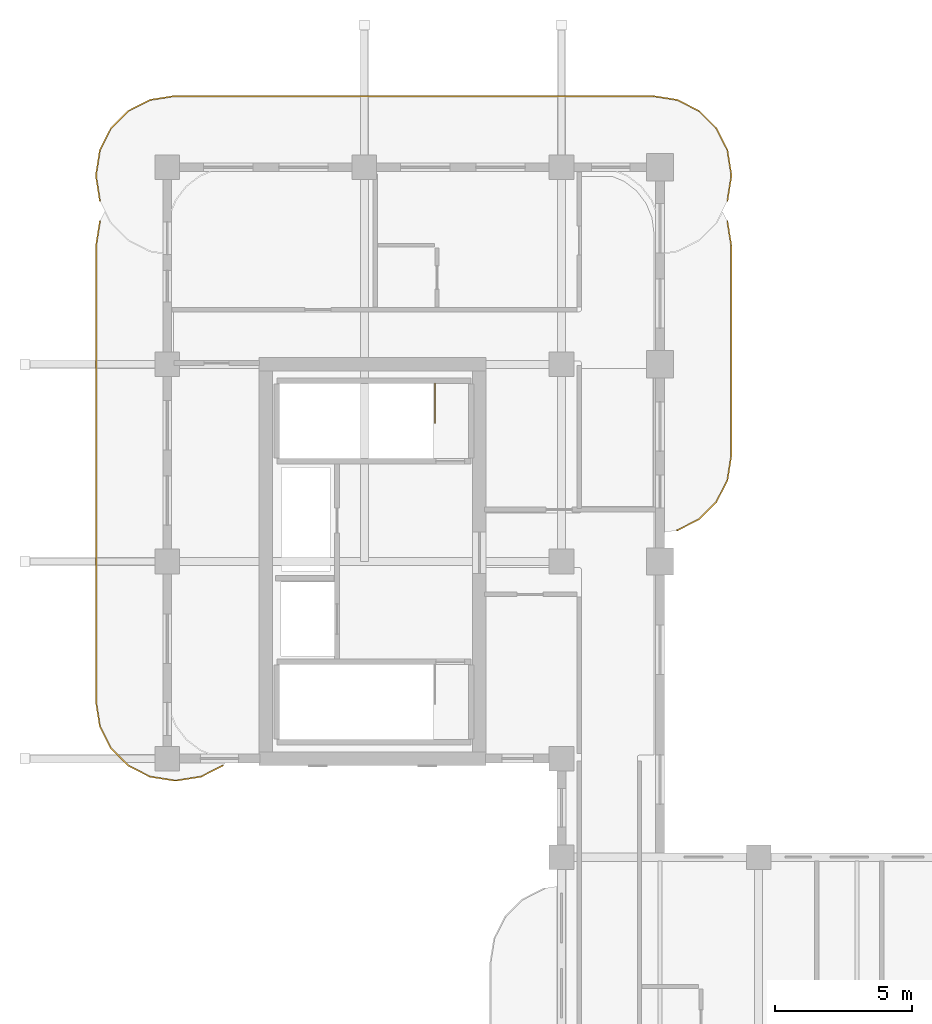
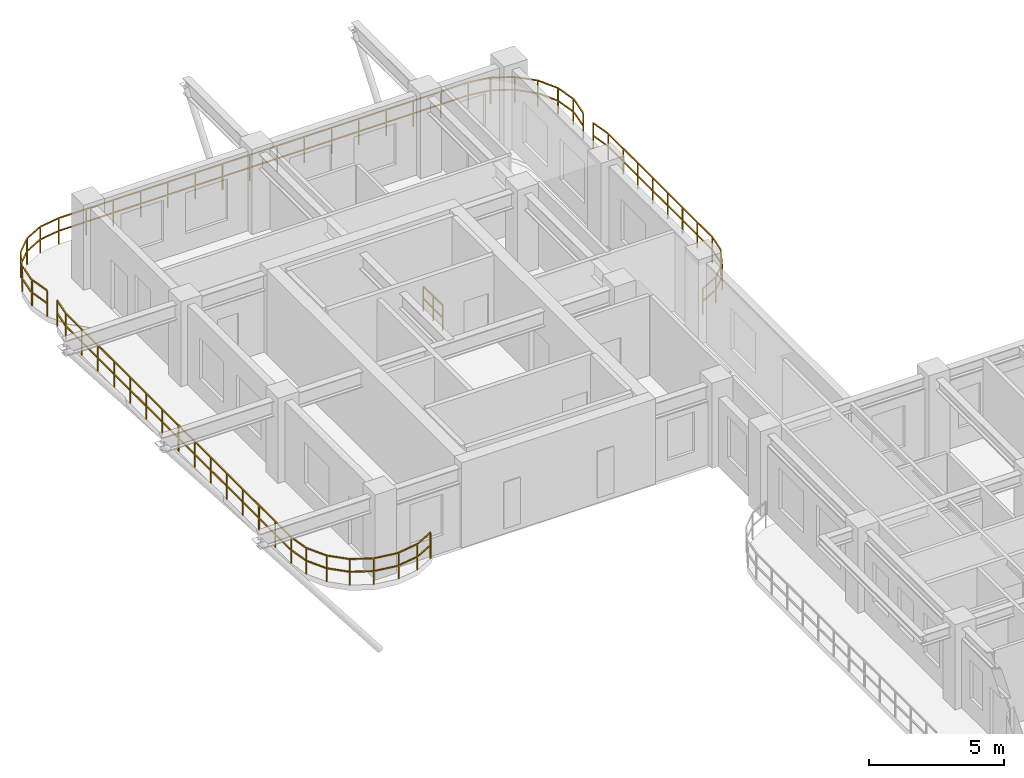
# One storey, part 14 of 14: 4 railings.
"""IFC4 building model written with IfcOpenShell, lengths in metres."""

from ifc_helpers import new_model, si_unit, derived_unit, direction, frame, origin, origin_2d, place, context, subcontext, project, spatial, rectangle, extrude, material, type_object, element, save


model = new_model("IFC4")

# Units and contexts
model_context = context("Model", 3, precision=1e-05, world=origin(), true_north=direction((0.0, 1.0)))
body_context = subcontext(model_context, "Body", "Model", "MODEL_VIEW")
ifc_project = project(units=[si_unit("LENGTHUNIT", "METRE"), si_unit("AREAUNIT", "SQUARE_METRE"), si_unit("VOLUMEUNIT", "CUBIC_METRE"), si_unit("PLANEANGLEUNIT", "RADIAN"), si_unit("MASSUNIT", "GRAM", prefix="KILO"), si_unit("THERMODYNAMICTEMPERATUREUNIT", "KELVIN"), si_unit("POWERUNIT", "WATT"), derived_unit("THERMALTRANSMITTANCEUNIT", [(si_unit("POWERUNIT", "WATT"), 1), (si_unit("AREAUNIT", "SQUARE_METRE"), -1), (si_unit("THERMODYNAMICTEMPERATUREUNIT", "KELVIN"), -1)])], contexts=[model_context])

# Site, building, storey
site_placement = place(None, origin())
site = spatial("IfcSite", under=ifc_project, at=site_placement, CompositionType="ELEMENT")
building_placement = place(site_placement, origin())
building = spatial("IfcBuilding", under=site, at=building_placement, Name="Zahravan Archway Hotel and Residences", CompositionType="ELEMENT")
storey_placement = place(building_placement, frame((0.0, 0.0, 209.60009765625)))
storey = spatial("IfcBuildingStorey", under=building, at=storey_placement, Name="L52", CompositionType="ELEMENT", Elevation=209.60009765625)

# Railings
ifc_material_1 = material(Name="Bronze & Laminated Glass Balustrade", Category="glass")
railing_type_1 = type_object("IfcRailingType", Name="RL-BAL-1200", PredefinedType="BALUSTRADE", material=ifc_material_1)
railing_1_placement = place(storey_placement, frame((-2.46044921875, 45.5693359375, 0.0)))
element("IfcRailing", 1, at=railing_1_placement, inside=storey, type_object=railing_type_1, Name="L52 Balustrade RL-SLB-BAL-L52-NB-1", PredefinedType="BALUSTRADE", context=body_context, shape_type="SweptSolid", body=[
    extrude(rectangle(XDim=0.048095703125, YDim=0.048095703125, at=origin_2d()), frame((0.0, 0.0, 1.17578125), z_axis=(-0.156623399917, 0.987658397726, 0.0), x_axis=(-0.987658397726, -0.156623399917, 0.0)), (0.0, 0.0, 1.0), 0.8916015625),
    extrude(rectangle(XDim=0.048095703125, YDim=0.048095703125, at=origin_2d()), frame((0.0, 0.0, 0.60009765625), z_axis=(-0.156623399917, 0.987658397726, 0.0), x_axis=(-0.987658397726, -0.156623399917, 0.0)), (0.0, 0.0, 1.0), 0.8916015625),
    extrude(rectangle(XDim=0.048095703125, YDim=0.048095703125, at=origin_2d()), frame((-0.1396484375, 0.880615234375, 1.17578125), z_axis=(0.0, 1.0, 0.0), x_axis=(-1.0, 0.0, 0.0)), (0.0, 0.0, 1.0), 0.10009765625),
    extrude(rectangle(XDim=0.048095703125, YDim=0.048095703125, at=origin_2d()), frame((-0.1396484375, 0.880615234375, 0.60009765625), z_axis=(0.0, 1.0, 0.0), x_axis=(-1.0, 0.0, 0.0)), (0.0, 0.0, 1.0), 0.10009765625),
    extrude(rectangle(XDim=0.048095703125, YDim=0.048095703125, at=origin_2d()), frame((-0.1396484375, 0.980712890625, 1.17578125), z_axis=(0.156623399917, 0.987658397726, 0.0), x_axis=(-0.987658397726, 0.156623399917, 0.0)), (0.0, 0.0, 1.0), 0.8916015625),
    extrude(rectangle(XDim=0.048095703125, YDim=0.048095703125, at=origin_2d()), frame((-0.1396484375, 0.980712890625, 0.60009765625), z_axis=(0.156623399917, 0.987658397726, 0.0), x_axis=(-0.987658397726, 0.156623399917, 0.0)), (0.0, 0.0, 1.0), 0.8916015625),
    extrude(rectangle(XDim=0.048095703125, YDim=0.048095703125, at=origin_2d()), frame((0.0, 1.861328125, 1.17578125), z_axis=(0.453991409995, 0.891006060389, 0.0), x_axis=(-0.891006060389, 0.453991409995, 0.0)), (0.0, 0.0, 1.0), 0.8916015625),
    extrude(rectangle(XDim=0.048095703125, YDim=0.048095703125, at=origin_2d()), frame((0.0, 1.861328125, 0.60009765625), z_axis=(0.453991409995, 0.891006060389, 0.0), x_axis=(-0.891006060389, 0.453991409995, 0.0)), (0.0, 0.0, 1.0), 0.8916015625),
    extrude(rectangle(XDim=0.048095703125, YDim=0.048095703125, at=origin_2d()), frame((0.40478515625, 2.65576171875, 1.17578125), z_axis=(0.706969864397, 0.70724367147, 0.0), x_axis=(-0.70724367147, 0.706969864397, 0.0)), (0.0, 0.0, 1.0), 0.8916015625),
    extrude(rectangle(XDim=0.048095703125, YDim=0.048095703125, at=origin_2d()), frame((0.40478515625, 2.65576171875, 0.60009765625), z_axis=(0.706969864397, 0.70724367147, 0.0), x_axis=(-0.70724367147, 0.706969864397, 0.0)), (0.0, 0.0, 1.0), 0.8916015625),
    extrude(rectangle(XDim=0.048095703125, YDim=0.048095703125, at=origin_2d()), frame((1.03515625, 3.286376953125, 1.17578125), z_axis=(0.891062476022, 0.45388067135, 0.0), x_axis=(-0.45388067135, 0.891062476022, 0.0)), (0.0, 0.0, 1.0), 0.891845703125),
    extrude(rectangle(XDim=0.048095703125, YDim=0.048095703125, at=origin_2d()), frame((1.03515625, 3.286376953125, 0.60009765625), z_axis=(0.891062476022, 0.45388067135, 0.0), x_axis=(-0.45388067135, 0.891062476022, 0.0)), (0.0, 0.0, 1.0), 0.891845703125),
    extrude(rectangle(XDim=0.048095703125, YDim=0.048095703125, at=origin_2d()), frame((1.829833984375, 3.691162109375, 1.17578125), z_axis=(0.987700720307, 0.156356282588, 0.0), x_axis=(-0.156356282588, 0.987700720307, 0.0)), (0.0, 0.0, 1.0), 0.8916015625),
    extrude(rectangle(XDim=0.048095703125, YDim=0.048095703125, at=origin_2d()), frame((1.829833984375, 3.691162109375, 0.60009765625), z_axis=(0.987700720307, 0.156356282588, 0.0), x_axis=(-0.156356282588, 0.987700720307, 0.0)), (0.0, 0.0, 1.0), 0.8916015625),
    extrude(rectangle(XDim=0.048095703125, YDim=0.048095703125, at=origin_2d()), frame((2.71044921875, 3.83056640625, 1.17578125), z_axis=(1.0, 0.0, 0.0), x_axis=(0.0, 1.0, 0.0)), (0.0, 0.0, 1.0), 17.5),
    extrude(rectangle(XDim=0.048095703125, YDim=0.048095703125, at=origin_2d()), frame((2.71044921875, 3.83056640625, 0.60009765625), z_axis=(1.0, 0.0, 0.0), x_axis=(0.0, 1.0, 0.0)), (0.0, 0.0, 1.0), 17.5),
    extrude(rectangle(XDim=0.048095703125, YDim=0.048095703125, at=origin_2d()), frame((20.21044921875, 3.83056640625, 1.17578125), z_axis=(0.987700720307, -0.156356282588, 0.0), x_axis=(0.156356282588, 0.987700720307, 0.0)), (0.0, 0.0, 1.0), 0.8916015625),
    extrude(rectangle(XDim=0.048095703125, YDim=0.048095703125, at=origin_2d()), frame((20.21044921875, 3.83056640625, 0.60009765625), z_axis=(0.987700720307, -0.156356282588, 0.0), x_axis=(0.156356282588, 0.987700720307, 0.0)), (0.0, 0.0, 1.0), 0.8916015625),
    extrude(rectangle(XDim=0.048095703125, YDim=0.048095703125, at=origin_2d()), frame((21.091064453125, 3.691162109375, 1.17578125), z_axis=(0.891062476022, -0.45388067135, 0.0), x_axis=(0.45388067135, 0.891062476022, 0.0)), (0.0, 0.0, 1.0), 0.891845703125),
    extrude(rectangle(XDim=0.048095703125, YDim=0.048095703125, at=origin_2d()), frame((21.091064453125, 3.691162109375, 0.60009765625), z_axis=(0.891062476022, -0.45388067135, 0.0), x_axis=(0.45388067135, 0.891062476022, 0.0)), (0.0, 0.0, 1.0), 0.891845703125),
    extrude(rectangle(XDim=0.048095703125, YDim=0.048095703125, at=origin_2d()), frame((21.8857421875, 3.286376953125, 1.17578125), z_axis=(0.706969864397, -0.70724367147, 0.0), x_axis=(0.70724367147, 0.706969864397, 0.0)), (0.0, 0.0, 1.0), 0.8916015625),
    extrude(rectangle(XDim=0.048095703125, YDim=0.048095703125, at=origin_2d()), frame((21.8857421875, 3.286376953125, 0.60009765625), z_axis=(0.706969864397, -0.70724367147, 0.0), x_axis=(0.70724367147, 0.706969864397, 0.0)), (0.0, 0.0, 1.0), 0.8916015625),
    extrude(rectangle(XDim=0.048095703125, YDim=0.048095703125, at=origin_2d()), frame((22.51611328125, 2.65576171875, 1.17578125), z_axis=(0.453991409995, -0.891006060389, 0.0), x_axis=(0.891006060389, 0.453991409995, 0.0)), (0.0, 0.0, 1.0), 0.8916015625),
    extrude(rectangle(XDim=0.048095703125, YDim=0.048095703125, at=origin_2d()), frame((22.51611328125, 2.65576171875, 0.60009765625), z_axis=(0.453991409995, -0.891006060389, 0.0), x_axis=(0.891006060389, 0.453991409995, 0.0)), (0.0, 0.0, 1.0), 0.8916015625),
    extrude(rectangle(XDim=0.048095703125, YDim=0.048095703125, at=origin_2d()), frame((22.9208984375, 1.861328125, 1.17578125), z_axis=(0.156623399917, -0.987658397726, 0.0), x_axis=(0.987658397726, 0.156623399917, 0.0)), (0.0, 0.0, 1.0), 0.8916015625),
    extrude(rectangle(XDim=0.048095703125, YDim=0.048095703125, at=origin_2d()), frame((22.9208984375, 1.861328125, 0.60009765625), z_axis=(0.156623399917, -0.987658397726, 0.0), x_axis=(0.987658397726, 0.156623399917, 0.0)), (0.0, 0.0, 1.0), 0.8916015625),
    extrude(rectangle(XDim=0.048095703125, YDim=0.048095703125, at=origin_2d()), frame((23.060546875, 0.980712890625, 1.17578125), z_axis=(0.0, -1.0, 0.0), x_axis=(1.0, 0.0, 0.0)), (0.0, 0.0, 1.0), 0.10009765625),
    extrude(rectangle(XDim=0.048095703125, YDim=0.048095703125, at=origin_2d()), frame((23.060546875, 0.980712890625, 0.60009765625), z_axis=(0.0, -1.0, 0.0), x_axis=(1.0, 0.0, 0.0)), (0.0, 0.0, 1.0), 0.10009765625),
    extrude(rectangle(XDim=0.048095703125, YDim=0.048095703125, at=origin_2d()), frame((23.060546875, 0.880615234375, 1.17578125), z_axis=(-0.156623399917, -0.987658397726, 0.0), x_axis=(0.987658397726, -0.156623399917, 0.0)), (0.0, 0.0, 1.0), 0.8916015625),
    extrude(rectangle(XDim=0.048095703125, YDim=0.048095703125, at=origin_2d()), frame((23.060546875, 0.880615234375, 0.60009765625), z_axis=(-0.156623399917, -0.987658397726, 0.0), x_axis=(0.987658397726, -0.156623399917, 0.0)), (0.0, 0.0, 1.0), 0.8916015625),
    extrude(rectangle(XDim=0.0419921875, YDim=0.0419921875, at=origin_2d()), origin(), (0.0, 0.0, 1.0), 1.15185546875),
    extrude(rectangle(XDim=0.0419921875, YDim=0.0419921875, at=origin_2d()), frame((-0.1396484375, 0.880615234375, 0.0)), (0.0, 0.0, 1.0), 1.15185546875),
    extrude(rectangle(XDim=0.0419921875, YDim=0.0419921875, at=origin_2d()), frame((0.0, 1.861328125, 0.0)), (0.0, 0.0, 1.0), 1.15185546875),
    extrude(rectangle(XDim=0.0419921875, YDim=0.0419921875, at=origin_2d()), frame((0.40478515625, 2.65576171875, 0.0)), (0.0, 0.0, 1.0), 1.15185546875),
    extrude(rectangle(XDim=0.0419921875, YDim=0.0419921875, at=origin_2d()), frame((1.03515625, 3.286376953125, 0.0)), (0.0, 0.0, 1.0), 1.15185546875),
    extrude(rectangle(XDim=0.0419921875, YDim=0.0419921875, at=origin_2d()), frame((1.829833984375, 3.691162109375, 0.0)), (0.0, 0.0, 1.0), 1.15185546875),
    extrude(rectangle(XDim=0.0419921875, YDim=0.0419921875, at=origin_2d()), frame((2.71044921875, 3.83056640625, 0.0)), (0.0, 0.0, 1.0), 1.15185546875),
    extrude(rectangle(XDim=0.0419921875, YDim=0.0419921875, at=origin_2d()), frame((3.877197265625, 3.83056640625, 0.0)), (0.0, 0.0, 1.0), 1.15185546875),
    extrude(rectangle(XDim=0.0419921875, YDim=0.0419921875, at=origin_2d()), frame((5.043701171875, 3.83056640625, 0.0)), (0.0, 0.0, 1.0), 1.15185546875),
    extrude(rectangle(XDim=0.0419921875, YDim=0.0419921875, at=origin_2d()), frame((6.21044921875, 3.83056640625, 0.0)), (0.0, 0.0, 1.0), 1.15185546875),
    extrude(rectangle(XDim=0.0419921875, YDim=0.0419921875, at=origin_2d()), frame((7.377197265625, 3.83056640625, 0.0)), (0.0, 0.0, 1.0), 1.15185546875),
    extrude(rectangle(XDim=0.0419921875, YDim=0.0419921875, at=origin_2d()), frame((8.543701171875, 3.83056640625, 0.0)), (0.0, 0.0, 1.0), 1.15185546875),
    extrude(rectangle(XDim=0.0419921875, YDim=0.0419921875, at=origin_2d()), frame((9.71044921875, 3.83056640625, 0.0)), (0.0, 0.0, 1.0), 1.15185546875),
    extrude(rectangle(XDim=0.0419921875, YDim=0.0419921875, at=origin_2d()), frame((10.877197265625, 3.83056640625, 0.0)), (0.0, 0.0, 1.0), 1.15185546875),
    extrude(rectangle(XDim=0.0419921875, YDim=0.0419921875, at=origin_2d()), frame((12.043701171875, 3.83056640625, 0.0)), (0.0, 0.0, 1.0), 1.15185546875),
    extrude(rectangle(XDim=0.0419921875, YDim=0.0419921875, at=origin_2d()), frame((13.21044921875, 3.83056640625, 0.0)), (0.0, 0.0, 1.0), 1.15185546875),
    extrude(rectangle(XDim=0.0419921875, YDim=0.0419921875, at=origin_2d()), frame((14.377197265625, 3.83056640625, 0.0)), (0.0, 0.0, 1.0), 1.15185546875),
    extrude(rectangle(XDim=0.0419921875, YDim=0.0419921875, at=origin_2d()), frame((15.543701171875, 3.83056640625, 0.0)), (0.0, 0.0, 1.0), 1.15185546875),
    extrude(rectangle(XDim=0.0419921875, YDim=0.0419921875, at=origin_2d()), frame((16.71044921875, 3.83056640625, 0.0)), (0.0, 0.0, 1.0), 1.15185546875),
    extrude(rectangle(XDim=0.0419921875, YDim=0.0419921875, at=origin_2d()), frame((17.877197265625, 3.83056640625, 0.0)), (0.0, 0.0, 1.0), 1.15185546875),
    extrude(rectangle(XDim=0.0419921875, YDim=0.0419921875, at=origin_2d()), frame((19.043701171875, 3.83056640625, 0.0)), (0.0, 0.0, 1.0), 1.15185546875),
    extrude(rectangle(XDim=0.0419921875, YDim=0.0419921875, at=origin_2d()), frame((20.21044921875, 3.83056640625, 0.0)), (0.0, 0.0, 1.0), 1.15185546875),
    extrude(rectangle(XDim=0.0419921875, YDim=0.0419921875, at=origin_2d()), frame((21.091064453125, 3.691162109375, 0.0)), (0.0, 0.0, 1.0), 1.15185546875),
    extrude(rectangle(XDim=0.0419921875, YDim=0.0419921875, at=origin_2d()), frame((21.8857421875, 3.286376953125, 0.0)), (0.0, 0.0, 1.0), 1.15185546875),
    extrude(rectangle(XDim=0.0419921875, YDim=0.0419921875, at=origin_2d()), frame((22.51611328125, 2.65576171875, 0.0)), (0.0, 0.0, 1.0), 1.15185546875),
    extrude(rectangle(XDim=0.0419921875, YDim=0.0419921875, at=origin_2d()), frame((22.9208984375, 1.861328125, 0.0)), (0.0, 0.0, 1.0), 1.15185546875),
    extrude(rectangle(XDim=0.0419921875, YDim=0.0419921875, at=origin_2d()), frame((23.060546875, 0.980712890625, 0.0)), (0.0, 0.0, 1.0), 1.15185546875),
    extrude(rectangle(XDim=0.0419921875, YDim=0.0419921875, at=origin_2d()), frame((22.9208984375, 0.0, 0.0)), (0.0, 0.0, 1.0), 1.15185546875),
])
railing_2_placement = place(storey_placement, frame((2.025146484375, 24.9443359375, 0.0)))
element("IfcRailing", 2, at=railing_2_placement, inside=storey, type_object=railing_type_1, Name="L52 Balustrade RL-SLB-BAL-L52-WB-1", PredefinedType="BALUSTRADE", context=body_context, shape_type="SweptSolid", body=[
    extrude(rectangle(XDim=0.048095703125, YDim=0.048095703125, at=origin_2d()), frame((0.0, 0.0, 1.17578125), z_axis=(-0.891006060389, -0.453991409995, 0.0), x_axis=(0.453991409995, -0.891006060389, 0.0)), (0.0, 0.0, 1.0), 0.8916015625),
    extrude(rectangle(XDim=0.048095703125, YDim=0.048095703125, at=origin_2d()), frame((0.0, 0.0, 0.60009765625), z_axis=(-0.891006060389, -0.453991409995, 0.0), x_axis=(0.453991409995, -0.891006060389, 0.0)), (0.0, 0.0, 1.0), 0.8916015625),
    extrude(rectangle(XDim=0.048095703125, YDim=0.048095703125, at=origin_2d()), frame((-0.79443359375, -0.40478515625, 1.17578125), z_axis=(-0.987658397726, -0.156623399917, 0.0), x_axis=(0.156623399917, -0.987658397726, 0.0)), (0.0, 0.0, 1.0), 0.8916015625),
    extrude(rectangle(XDim=0.048095703125, YDim=0.048095703125, at=origin_2d()), frame((-0.79443359375, -0.40478515625, 0.60009765625), z_axis=(-0.987658397726, -0.156623399917, 0.0), x_axis=(0.156623399917, -0.987658397726, 0.0)), (0.0, 0.0, 1.0), 0.8916015625),
    extrude(rectangle(XDim=0.048095703125, YDim=0.048095703125, at=origin_2d()), frame((-1.675048828125, -0.54443359375, 1.17578125), z_axis=(-1.0, 0.0, 0.0), x_axis=(0.0, -1.0, 0.0)), (0.0, 0.0, 1.0), 0.10009765625),
    extrude(rectangle(XDim=0.048095703125, YDim=0.048095703125, at=origin_2d()), frame((-1.675048828125, -0.54443359375, 0.60009765625), z_axis=(-1.0, 0.0, 0.0), x_axis=(0.0, -1.0, 0.0)), (0.0, 0.0, 1.0), 0.10009765625),
    extrude(rectangle(XDim=0.048095703125, YDim=0.048095703125, at=origin_2d()), frame((-1.775146484375, -0.54443359375, 1.17578125), z_axis=(-0.987658397726, 0.156623399917, 0.0), x_axis=(-0.156623399917, -0.987658397726, 0.0)), (0.0, 0.0, 1.0), 0.8916015625),
    extrude(rectangle(XDim=0.048095703125, YDim=0.048095703125, at=origin_2d()), frame((-1.775146484375, -0.54443359375, 0.60009765625), z_axis=(-0.987658397726, 0.156623399917, 0.0), x_axis=(-0.156623399917, -0.987658397726, 0.0)), (0.0, 0.0, 1.0), 0.8916015625),
    extrude(rectangle(XDim=0.048095703125, YDim=0.048095703125, at=origin_2d()), frame((-2.65576171875, -0.40478515625, 1.17578125), z_axis=(-0.891062476022, 0.45388067135, 0.0), x_axis=(-0.45388067135, -0.891062476022, 0.0)), (0.0, 0.0, 1.0), 0.891845703125),
    extrude(rectangle(XDim=0.048095703125, YDim=0.048095703125, at=origin_2d()), frame((-2.65576171875, -0.40478515625, 0.60009765625), z_axis=(-0.891062476022, 0.45388067135, 0.0), x_axis=(-0.45388067135, -0.891062476022, 0.0)), (0.0, 0.0, 1.0), 0.891845703125),
    extrude(rectangle(XDim=0.048095703125, YDim=0.048095703125, at=origin_2d()), frame((-3.450439453125, 0.0, 1.17578125), z_axis=(-0.707106781187, 0.707106781187, 0.0), x_axis=(-0.707106781187, -0.707106781187, 0.0)), (0.0, 0.0, 1.0), 0.891357421875),
    extrude(rectangle(XDim=0.048095703125, YDim=0.048095703125, at=origin_2d()), frame((-3.450439453125, 0.0, 0.60009765625), z_axis=(-0.707106781187, 0.707106781187, 0.0), x_axis=(-0.707106781187, -0.707106781187, 0.0)), (0.0, 0.0, 1.0), 0.891357421875),
    extrude(rectangle(XDim=0.048095703125, YDim=0.048095703125, at=origin_2d()), frame((-4.080810546875, 0.63037109375, 1.17578125), z_axis=(-0.45388067135, 0.891062476022, 0.0), x_axis=(-0.891062476022, -0.45388067135, 0.0)), (0.0, 0.0, 1.0), 0.891845703125),
    extrude(rectangle(XDim=0.048095703125, YDim=0.048095703125, at=origin_2d()), frame((-4.080810546875, 0.63037109375, 0.60009765625), z_axis=(-0.45388067135, 0.891062476022, 0.0), x_axis=(-0.891062476022, -0.45388067135, 0.0)), (0.0, 0.0, 1.0), 0.891845703125),
    extrude(rectangle(XDim=0.048095703125, YDim=0.048095703125, at=origin_2d()), frame((-4.485595703125, 1.425048828125, 1.17578125), z_axis=(-0.156623399917, 0.987658397726, 0.0), x_axis=(-0.987658397726, -0.156623399917, 0.0)), (0.0, 0.0, 1.0), 0.8916015625),
    extrude(rectangle(XDim=0.048095703125, YDim=0.048095703125, at=origin_2d()), frame((-4.485595703125, 1.425048828125, 0.60009765625), z_axis=(-0.156623399917, 0.987658397726, 0.0), x_axis=(-0.987658397726, -0.156623399917, 0.0)), (0.0, 0.0, 1.0), 0.8916015625),
    extrude(rectangle(XDim=0.048095703125, YDim=0.048095703125, at=origin_2d()), frame((-4.625244140625, 2.3056640625, 1.17578125), z_axis=(0.0, 1.0, 0.0), x_axis=(-1.0, 0.0, 0.0)), (0.0, 0.0, 1.0), 16.699951171875),
    extrude(rectangle(XDim=0.048095703125, YDim=0.048095703125, at=origin_2d()), frame((-4.625244140625, 2.3056640625, 0.60009765625), z_axis=(0.0, 1.0, 0.0), x_axis=(-1.0, 0.0, 0.0)), (0.0, 0.0, 1.0), 16.699951171875),
    extrude(rectangle(XDim=0.048095703125, YDim=0.048095703125, at=origin_2d()), frame((-4.625244140625, 19.005615234375, 1.17578125), z_axis=(0.156581054338, 0.98766511198, 0.0), x_axis=(-0.98766511198, 0.156581054338, 0.0)), (0.0, 0.0, 1.0), 0.891845703125),
    extrude(rectangle(XDim=0.048095703125, YDim=0.048095703125, at=origin_2d()), frame((-4.625244140625, 19.005615234375, 0.60009765625), z_axis=(0.156581054338, 0.98766511198, 0.0), x_axis=(-0.98766511198, 0.156581054338, 0.0)), (0.0, 0.0, 1.0), 0.891845703125),
    extrude(rectangle(XDim=0.0419921875, YDim=0.0419921875, at=origin_2d()), origin(), (0.0, 0.0, 1.0), 1.15185546875),
    extrude(rectangle(XDim=0.0419921875, YDim=0.0419921875, at=origin_2d()), frame((-0.79443359375, -0.40478515625, 0.0)), (0.0, 0.0, 1.0), 1.15185546875),
    extrude(rectangle(XDim=0.0419921875, YDim=0.0419921875, at=origin_2d()), frame((-1.675048828125, -0.54443359375, 0.0)), (0.0, 0.0, 1.0), 1.15185546875),
    extrude(rectangle(XDim=0.0419921875, YDim=0.0419921875, at=origin_2d()), frame((-2.65576171875, -0.40478515625, 0.0)), (0.0, 0.0, 1.0), 1.15185546875),
    extrude(rectangle(XDim=0.0419921875, YDim=0.0419921875, at=origin_2d()), frame((-3.450439453125, 0.0, 0.0)), (0.0, 0.0, 1.0), 1.15185546875),
    extrude(rectangle(XDim=0.0419921875, YDim=0.0419921875, at=origin_2d()), frame((-4.080810546875, 0.63037109375, 0.0)), (0.0, 0.0, 1.0), 1.15185546875),
    extrude(rectangle(XDim=0.0419921875, YDim=0.0419921875, at=origin_2d()), frame((-4.485595703125, 1.425048828125, 0.0)), (0.0, 0.0, 1.0), 1.15185546875),
    extrude(rectangle(XDim=0.0419921875, YDim=0.0419921875, at=origin_2d()), frame((-4.625244140625, 2.3056640625, 0.0)), (0.0, 0.0, 1.0), 1.15185546875),
    extrude(rectangle(XDim=0.0419921875, YDim=0.0419921875, at=origin_2d()), frame((-4.625244140625, 3.49853515625, 0.0)), (0.0, 0.0, 1.0), 1.15185546875),
    extrude(rectangle(XDim=0.0419921875, YDim=0.0419921875, at=origin_2d()), frame((-4.625244140625, 4.69140625, 0.0)), (0.0, 0.0, 1.0), 1.15185546875),
    extrude(rectangle(XDim=0.0419921875, YDim=0.0419921875, at=origin_2d()), frame((-4.625244140625, 5.88427734375, 0.0)), (0.0, 0.0, 1.0), 1.15185546875),
    extrude(rectangle(XDim=0.0419921875, YDim=0.0419921875, at=origin_2d()), frame((-4.625244140625, 7.0771484375, 0.0)), (0.0, 0.0, 1.0), 1.15185546875),
    extrude(rectangle(XDim=0.0419921875, YDim=0.0419921875, at=origin_2d()), frame((-4.625244140625, 8.27001953125, 0.0)), (0.0, 0.0, 1.0), 1.15185546875),
    extrude(rectangle(XDim=0.0419921875, YDim=0.0419921875, at=origin_2d()), frame((-4.625244140625, 9.462890625, 0.0)), (0.0, 0.0, 1.0), 1.15185546875),
    extrude(rectangle(XDim=0.0419921875, YDim=0.0419921875, at=origin_2d()), frame((-4.625244140625, 10.65576171875, 0.0)), (0.0, 0.0, 1.0), 1.15185546875),
    extrude(rectangle(XDim=0.0419921875, YDim=0.0419921875, at=origin_2d()), frame((-4.625244140625, 11.848388671875, 0.0)), (0.0, 0.0, 1.0), 1.15185546875),
    extrude(rectangle(XDim=0.0419921875, YDim=0.0419921875, at=origin_2d()), frame((-4.625244140625, 13.041259765625, 0.0)), (0.0, 0.0, 1.0), 1.15185546875),
    extrude(rectangle(XDim=0.0419921875, YDim=0.0419921875, at=origin_2d()), frame((-4.625244140625, 14.234130859375, 0.0)), (0.0, 0.0, 1.0), 1.15185546875),
    extrude(rectangle(XDim=0.0419921875, YDim=0.0419921875, at=origin_2d()), frame((-4.625244140625, 15.427001953125, 0.0)), (0.0, 0.0, 1.0), 1.15185546875),
    extrude(rectangle(XDim=0.0419921875, YDim=0.0419921875, at=origin_2d()), frame((-4.625244140625, 16.619873046875, 0.0)), (0.0, 0.0, 1.0), 1.15185546875),
    extrude(rectangle(XDim=0.0419921875, YDim=0.0419921875, at=origin_2d()), frame((-4.625244140625, 17.812744140625, 0.0)), (0.0, 0.0, 1.0), 1.15185546875),
    extrude(rectangle(XDim=0.0419921875, YDim=0.0419921875, at=origin_2d()), frame((-4.625244140625, 19.005615234375, 0.0)), (0.0, 0.0, 1.0), 1.15185546875),
    extrude(rectangle(XDim=0.0419921875, YDim=0.0419921875, at=origin_2d()), frame((-4.485595703125, 19.886474609375, 0.0)), (0.0, 0.0, 1.0), 1.15185546875),
])
railing_3_placement = place(storey_placement, frame((20.46044921875, 44.830810546875, 0.0)))
element("IfcRailing", 3, at=railing_3_placement, inside=storey, type_object=railing_type_1, Name="L52 Balustrade RL-SLB-BAL-L52-EB-1", PredefinedType="BALUSTRADE", context=body_context, shape_type="SweptSolid", body=[
    extrude(rectangle(XDim=0.048095703125, YDim=0.048095703125, at=origin_2d()), frame((0.0, 0.0, 1.17578125), z_axis=(0.156581054338, -0.98766511198, 0.0), x_axis=(0.98766511198, 0.156581054338, 0.0)), (0.0, 0.0, 1.0), 0.891845703125),
    extrude(rectangle(XDim=0.048095703125, YDim=0.048095703125, at=origin_2d()), frame((0.0, 0.0, 0.60009765625), z_axis=(0.156581054338, -0.98766511198, 0.0), x_axis=(0.98766511198, 0.156581054338, 0.0)), (0.0, 0.0, 1.0), 0.891845703125),
    extrude(rectangle(XDim=0.048095703125, YDim=0.048095703125, at=origin_2d()), frame((0.1396484375, -0.880859375, 1.17578125), z_axis=(0.0, -1.0, 0.0), x_axis=(1.0, 0.0, 0.0)), (0.0, 0.0, 1.0), 7.699951171875),
    extrude(rectangle(XDim=0.048095703125, YDim=0.048095703125, at=origin_2d()), frame((0.1396484375, -0.880859375, 0.60009765625), z_axis=(0.0, -1.0, 0.0), x_axis=(1.0, 0.0, 0.0)), (0.0, 0.0, 1.0), 7.699951171875),
    extrude(rectangle(XDim=0.048095703125, YDim=0.048095703125, at=origin_2d()), frame((0.1396484375, -8.580810546875, 1.17578125), z_axis=(-0.156623399917, -0.987658397726, 0.0), x_axis=(0.987658397726, -0.156623399917, 0.0)), (0.0, 0.0, 1.0), 0.8916015625),
    extrude(rectangle(XDim=0.048095703125, YDim=0.048095703125, at=origin_2d()), frame((0.1396484375, -8.580810546875, 0.60009765625), z_axis=(-0.156623399917, -0.987658397726, 0.0), x_axis=(0.987658397726, -0.156623399917, 0.0)), (0.0, 0.0, 1.0), 0.8916015625),
    extrude(rectangle(XDim=0.048095703125, YDim=0.048095703125, at=origin_2d()), frame((0.0, -9.46142578125, 1.17578125), z_axis=(-0.45388067135, -0.891062476022, 0.0), x_axis=(0.891062476022, -0.45388067135, 0.0)), (0.0, 0.0, 1.0), 0.891845703125),
    extrude(rectangle(XDim=0.048095703125, YDim=0.048095703125, at=origin_2d()), frame((0.0, -9.46142578125, 0.60009765625), z_axis=(-0.45388067135, -0.891062476022, 0.0), x_axis=(0.891062476022, -0.45388067135, 0.0)), (0.0, 0.0, 1.0), 0.891845703125),
    extrude(rectangle(XDim=0.048095703125, YDim=0.048095703125, at=origin_2d()), frame((-0.40478515625, -10.256103515625, 1.17578125), z_axis=(-0.707106781187, -0.707106781187, 0.0), x_axis=(0.707106781187, -0.707106781187, 0.0)), (0.0, 0.0, 1.0), 0.891357421875),
    extrude(rectangle(XDim=0.048095703125, YDim=0.048095703125, at=origin_2d()), frame((-0.40478515625, -10.256103515625, 0.60009765625), z_axis=(-0.707106781187, -0.707106781187, 0.0), x_axis=(0.707106781187, -0.707106781187, 0.0)), (0.0, 0.0, 1.0), 0.891357421875),
    extrude(rectangle(XDim=0.048095703125, YDim=0.048095703125, at=origin_2d()), frame((-1.03515625, -10.886474609375, 1.17578125), z_axis=(-0.891062476022, -0.45388067135, 0.0), x_axis=(0.45388067135, -0.891062476022, 0.0)), (0.0, 0.0, 1.0), 0.891845703125),
    extrude(rectangle(XDim=0.048095703125, YDim=0.048095703125, at=origin_2d()), frame((-1.03515625, -10.886474609375, 0.60009765625), z_axis=(-0.891062476022, -0.45388067135, 0.0), x_axis=(0.45388067135, -0.891062476022, 0.0)), (0.0, 0.0, 1.0), 0.891845703125),
    extrude(rectangle(XDim=0.0419921875, YDim=0.0419921875, at=origin_2d()), origin(), (0.0, 0.0, 1.0), 1.15185546875),
    extrude(rectangle(XDim=0.0419921875, YDim=0.0419921875, at=origin_2d()), frame((0.1396484375, -0.880859375, 0.0)), (0.0, 0.0, 1.0), 1.15185546875),
    extrude(rectangle(XDim=0.0419921875, YDim=0.0419921875, at=origin_2d()), frame((0.1396484375, -1.98095703125, 0.0)), (0.0, 0.0, 1.0), 1.15185546875),
    extrude(rectangle(XDim=0.0419921875, YDim=0.0419921875, at=origin_2d()), frame((0.1396484375, -3.080810546875, 0.0)), (0.0, 0.0, 1.0), 1.15185546875),
    extrude(rectangle(XDim=0.0419921875, YDim=0.0419921875, at=origin_2d()), frame((0.1396484375, -4.180908203125, 0.0)), (0.0, 0.0, 1.0), 1.15185546875),
    extrude(rectangle(XDim=0.0419921875, YDim=0.0419921875, at=origin_2d()), frame((0.1396484375, -5.28076171875, 0.0)), (0.0, 0.0, 1.0), 1.15185546875),
    extrude(rectangle(XDim=0.0419921875, YDim=0.0419921875, at=origin_2d()), frame((0.1396484375, -6.380859375, 0.0)), (0.0, 0.0, 1.0), 1.15185546875),
    extrude(rectangle(XDim=0.0419921875, YDim=0.0419921875, at=origin_2d()), frame((0.1396484375, -7.480712890625, 0.0)), (0.0, 0.0, 1.0), 1.15185546875),
    extrude(rectangle(XDim=0.0419921875, YDim=0.0419921875, at=origin_2d()), frame((0.1396484375, -8.580810546875, 0.0)), (0.0, 0.0, 1.0), 1.15185546875),
    extrude(rectangle(XDim=0.0419921875, YDim=0.0419921875, at=origin_2d()), frame((0.0, -9.46142578125, 0.0)), (0.0, 0.0, 1.0), 1.15185546875),
    extrude(rectangle(XDim=0.0419921875, YDim=0.0419921875, at=origin_2d()), frame((-0.40478515625, -10.256103515625, 0.0)), (0.0, 0.0, 1.0), 1.15185546875),
    extrude(rectangle(XDim=0.0419921875, YDim=0.0419921875, at=origin_2d()), frame((-1.03515625, -10.886474609375, 0.0)), (0.0, 0.0, 1.0), 1.15185546875),
    extrude(rectangle(XDim=0.0419921875, YDim=0.0419921875, at=origin_2d()), frame((-1.829833984375, -11.291259765625, 0.0)), (0.0, 0.0, 1.0), 1.15185546875),
])
ifc_material_2 = material(Name="Painted Tubular Steel", Category="steel")
railing_type_2 = type_object("IfcRailingType", Name="RL-STG-1150", PredefinedType="GUARDRAIL", material=ifc_material_2)
railing_4_placement = place(storey_placement, frame((9.780029296875, 38.89990234375, 0.0)))
element("IfcRailing", 4, at=railing_4_placement, inside=storey, type_object=railing_type_2, Name="L52 ST-B2 top well guard 1", PredefinedType="GUARDRAIL", context=body_context, shape_type="SweptSolid", body=[
    extrude(rectangle(XDim=0.048095703125, YDim=0.048095703125, at=origin_2d()), frame((0.0, 0.0, 1.1259765625), z_axis=(0.0, -1.0, 0.0), x_axis=(1.0, 0.0, 0.0)), (0.0, 0.0, 1.0), 1.43994140625),
    extrude(rectangle(XDim=0.048095703125, YDim=0.048095703125, at=origin_2d()), frame((0.0, 0.0, 0.574951171875), z_axis=(0.0, -1.0, 0.0), x_axis=(1.0, 0.0, 0.0)), (0.0, 0.0, 1.0), 1.43994140625),
    extrude(rectangle(XDim=0.0419921875, YDim=0.0419921875, at=origin_2d()), origin(), (0.0, 0.0, 1.0), 1.101806640625),
    extrude(rectangle(XDim=0.0419921875, YDim=0.0419921875, at=origin_2d()), frame((0.0, -0.719970703125, 0.0)), (0.0, 0.0, 1.0), 1.101806640625),
    extrude(rectangle(XDim=0.0419921875, YDim=0.0419921875, at=origin_2d()), frame((0.0, -1.43994140625, 0.0)), (0.0, 0.0, 1.0), 1.101806640625),
])

save(model, "model.ifc")
